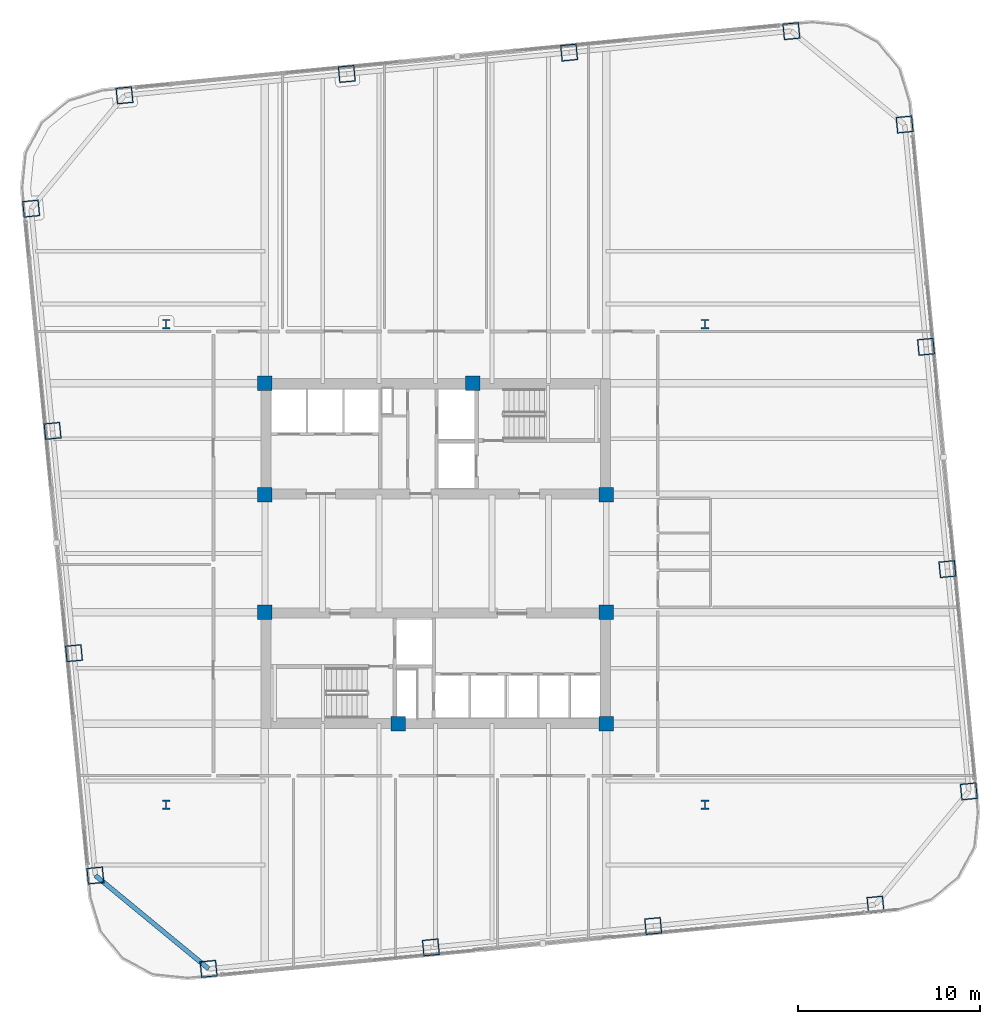
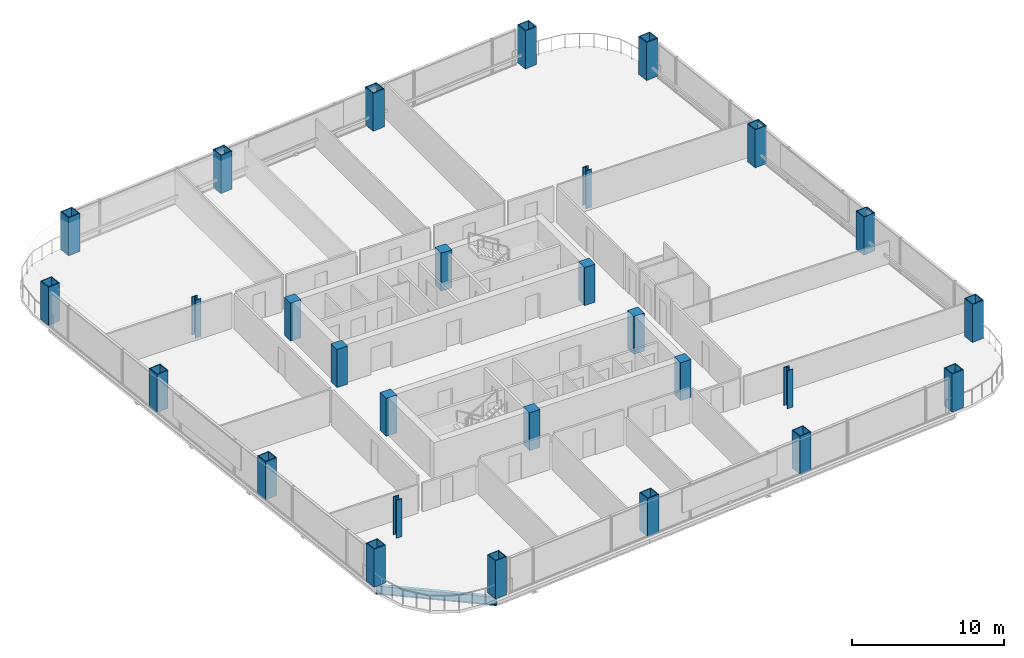
# One storey, part 1 of 34: 28 columns, 1 beam.
"""IFC4 building model written with IfcOpenShell, lengths in metres."""

from ifc_helpers import new_model, si_unit, direction, frame, origin, origin_2d, place, context, subcontext, project, spatial, rectangle, hollow_rectangle, i_section, extrude, material, material_profile, profile_set, type_object, element, save


model = new_model("IFC4")

# Units and contexts
model_context = context("Model", 3, precision=1e-05, world=origin(), true_north=direction((0.0, 1.0)))
body_context = subcontext(model_context, "Body", "Model", "MODEL_VIEW")
ifc_project = project(units=[si_unit("LENGTHUNIT", "METRE"), si_unit("AREAUNIT", "SQUARE_METRE"), si_unit("VOLUMEUNIT", "CUBIC_METRE"), si_unit("PLANEANGLEUNIT", "RADIAN"), si_unit("MASSUNIT", "GRAM", prefix="KILO")], contexts=[model_context])

# Site, building, storey
site_placement = place(None, origin())
site = spatial("IfcSite", under=ifc_project, at=site_placement, CompositionType="ELEMENT")
building_placement = place(site_placement, origin())
building = spatial("IfcBuilding", under=site, at=building_placement, Name="Qhalaya Broadcast Tower", CompositionType="ELEMENT")
storey_placement = place(building_placement, frame((0.0, 0.0, 78.60009765625)))
storey = spatial("IfcBuildingStorey", under=building, at=storey_placement, Name="L22", CompositionType="ELEMENT", Elevation=78.60009765625)

# Columns
ifc_material_1 = material(Name="Concrete C50/60", Category="concrete")
ifc_material_profile_1 = material_profile(ifc_material_1, rectangle(XDim=0.800048828125, YDim=0.800048828125, at=origin_2d()), Name="RC-COL 800x800")
ifc_profile_set_1 = profile_set([ifc_material_profile_1], Name="Concrete C50/60")
column_type_1 = type_object("IfcColumnType", Name="RC Upper Column C10", PredefinedType="COLUMN", material=ifc_profile_set_1)
for number, where, z_axis, x_axis, name in (
    (1, (-9.375, 9.949951171875, 0.0), (0.0, 0.0, 1.0), (1.0, 0.0, 0.0), "L22 Column COL-CC1"),
    (2, (2.050048828125, 9.949951171875, 0.0), (0.0, 0.0, 1.0), (1.0, 0.0, 0.0), "L22 Column COL-CC2"),
    (3, (-9.375, 3.824951171875, 0.0), (0.0, 0.0, 1.0), (1.0, 0.0, 0.0), "L22 Column COL-CC3"),
    (4, (9.375, 3.824951171875, 0.0), (0.0, 0.0, 1.0), (1.0, 0.0, 0.0), "L22 Column COL-CC4"),
    (5, (-9.375, -2.625, 0.0), (0.0, 0.0, 1.0), (1.0, 0.0, 0.0), "L22 Column COL-CC5"),
    (6, (9.375, -2.625, 0.0), (0.0, 0.0, 1.0), (1.0, 0.0, 0.0), "L22 Column COL-CC6"),
    (7, (-2.050048828125, -8.75, 0.0), (0.0, 0.0, 1.0), (1.0, 0.0, 0.0), "L22 Column COL-CC7"),
    (8, (9.375, -8.75, 0.0), (0.0, 0.0, 1.0), (1.0, 0.0, 0.0), "L22 Column COL-CC8"),
):
    element("IfcColumn", number, at=place(storey_placement, frame(where, z_axis=z_axis, x_axis=x_axis)), inside=storey, type_object=column_type_1, Name=name, PredefinedType="COLUMN", context=body_context, shape_type="SweptSolid", body=[
        extrude(rectangle(XDim=0.800048828125, YDim=0.800048828125, at=origin_2d()), origin(), (0.0, 0.0, 1.0), 3.0498046875),
    ])
ifc_material_2 = material(Name="Structural Steel ASTM A992 Grade 50", Category="steel")
ifc_material_profile_2 = material_profile(ifc_material_2, i_section(OverallWidth=0.41796875, OverallDepth=0.510009765625, WebThickness=0.0419921875, FlangeThickness=0.067626953125, at=origin_2d()), Name="W14X370")
ifc_profile_set_2 = profile_set([ifc_material_profile_2], Name="Structural Steel ASTM A992 Grade 50")
column_type_2 = type_object("IfcColumnType", Name="Rolled Gravity Column C06", PredefinedType="COLUMN", material=ifc_profile_set_2)
for number, where, z_axis, x_axis, name in (
    (9, (-14.800048828125, -13.199951171875, 0.0), (0.0, 0.0, 1.0), (1.0, 0.0, 0.0), "L22 Column COL-GR1"),
    (10, (14.800048828125, -13.199951171875, 0.0), (0.0, 0.0, 1.0), (1.0, 0.0, 0.0), "L22 Column COL-GR2"),
    (11, (-14.800048828125, 13.199951171875, 0.0), (0.0, 0.0, 1.0), (1.0, 0.0, 0.0), "L22 Column COL-GR3"),
    (12, (14.800048828125, 13.199951171875, 0.0), (0.0, 0.0, 1.0), (1.0, 0.0, 0.0), "L22 Column COL-GR4"),
):
    element("IfcColumn", number, at=place(storey_placement, frame(where, z_axis=z_axis, x_axis=x_axis)), inside=storey, type_object=column_type_2, Name=name, PredefinedType="COLUMN", context=body_context, shape_type="SweptSolid", body=[
        extrude(i_section(OverallWidth=0.41796875, OverallDepth=0.510009765625, WebThickness=0.0419921875, FlangeThickness=0.067626953125, at=origin_2d()), origin(), (0.0, 0.0, 1.0), 3.0498046875),
    ])
ifc_material_3 = material(Name="Structural Steel ASTM A572 Grade 50", Category="steel")
ifc_material_profile_3 = material_profile(ifc_material_3, hollow_rectangle(XDim=0.89990234375, YDim=0.89990234375, WallThickness=0.054931640625, at=origin_2d()), Name="BOX 900x900x55")
ifc_profile_set_3 = profile_set([ifc_material_profile_3], Name="Structural Steel ASTM A572 Grade 50")
column_type_3 = type_object("IfcColumnType", Name="Steel Box Column C02", PredefinedType="COLUMN", material=ifc_profile_set_3)
for number, where, z_axis, x_axis, name in (
    (13, (-12.46533203125, -22.212646484375, 0.0), (0.0, 0.0, 1.0), (0.995396198367, 0.09584575252, 0.0), "L22 Column COL-EX01"),
    (14, (-0.255126953125, -21.036865234375, 0.0), (0.0, 0.0, 1.0), (0.995396198367, 0.09584575252, 0.0), "L22 Column COL-EX02"),
    (15, (11.955078125, -19.861083984375, 0.0), (0.0, 0.0, 1.0), (0.995396198367, 0.09584575252, 0.0), "L22 Column COL-EX03"),
    (16, (24.165283203125, -18.685546875, 0.0), (0.0, 0.0, 1.0), (0.995396198367, 0.09584575252, 0.0), "L22 Column COL-EX04"),
    (17, (29.29248046875, -12.46533203125, 0.0), (0.0, 0.0, 1.0), (-0.09584575252, 0.995396198367, 0.0), "L22 Column COL-EX05"),
    (18, (28.116943359375, -0.255126953125, 0.0), (0.0, 0.0, 1.0), (-0.09584575252, 0.995396198367, 0.0), "L22 Column COL-EX06"),
    (19, (26.941162109375, 11.955078125, 0.0), (0.0, 0.0, 1.0), (-0.09584575252, 0.995396198367, 0.0), "L22 Column COL-EX07"),
    (20, (25.765380859375, 24.165283203125, 0.0), (0.0, 0.0, 1.0), (-0.09584575252, 0.995396198367, 0.0), "L22 Column COL-EX08"),
    (21, (19.54541015625, 29.29248046875, 0.0), (0.0, 0.0, 1.0), (0.995396198367, 0.09584575252, 0.0), "L22 Column COL-EX09"),
    (22, (7.335205078125, 28.116943359375, 0.0), (0.0, 0.0, 1.0), (0.995396198367, 0.09584575252, 0.0), "L22 Column COL-EX10"),
    (23, (-4.875, 26.941162109375, 0.0), (0.0, 0.0, 1.0), (0.995396198367, 0.09584575252, 0.0), "L22 Column COL-EX11"),
    (24, (-17.085205078125, 25.765380859375, 0.0), (0.0, 0.0, 1.0), (0.995396198367, 0.09584575252, 0.0), "L22 Column COL-EX12"),
    (25, (-22.212646484375, 19.54541015625, 0.0), (0.0, 0.0, 1.0), (-0.09584575252, 0.995396198367, 0.0), "L22 Column COL-EX13"),
    (26, (-21.036865234375, 7.335205078125, 0.0), (0.0, 0.0, 1.0), (-0.09584575252, 0.995396198367, 0.0), "L22 Column COL-EX14"),
    (27, (-19.861083984375, -4.875, 0.0), (0.0, 0.0, 1.0), (-0.09584575252, 0.995396198367, 0.0), "L22 Column COL-EX15"),
    (28, (-18.685546875, -17.085205078125, 0.0), (0.0, 0.0, 1.0), (-0.09584575252, 0.995396198367, 0.0), "L22 Column COL-EX16"),
):
    element("IfcColumn", number, at=place(storey_placement, frame(where, z_axis=z_axis, x_axis=x_axis)), inside=storey, type_object=column_type_3, Name=name, PredefinedType="COLUMN", context=body_context, shape_type="SweptSolid", body=[
        extrude(hollow_rectangle(XDim=0.89990234375, YDim=0.89990234375, WallThickness=0.054931640625, at=origin_2d()), origin(), (0.0, 0.0, 1.0), 3.0498046875),
    ])

# Beam
ifc_material_profile_4 = material_profile(ifc_material_2, i_section(OverallWidth=0.25390625, OverallDepth=0.68310546875, WebThickness=0.012451171875, FlangeThickness=0.01904296875, at=origin_2d()), Name="W27X94")
ifc_profile_set_4 = profile_set([ifc_material_profile_4], Name="Structural Steel ASTM A992 Grade 50")
beam_type = type_object("IfcBeamType", Name="Perimeter Ring Spandrel Beam SP1", PredefinedType="SPANDREL", material=ifc_profile_set_4)
beam_placement = place(storey_placement, frame((-18.685546875, -17.085205078125, -0.5615234375), z_axis=(0.771631160126, -0.636070241972, 0.0), x_axis=(0.636070241972, 0.771631160126, 0.0)))
element("IfcBeam", 29, at=beam_placement, inside=storey, type_object=beam_type, Name="L22 SP1 L22-SPR-16", PredefinedType="SPANDREL", context=body_context, shape_type="SweptSolid", body=[
    extrude(i_section(OverallWidth=0.25390625, OverallDepth=0.68310546875, WebThickness=0.012451171875, FlangeThickness=0.01904296875, at=origin_2d()), origin(), (0.0, 0.0, 1.0), 8.06103515625),
])

save(model, "model.ifc")
